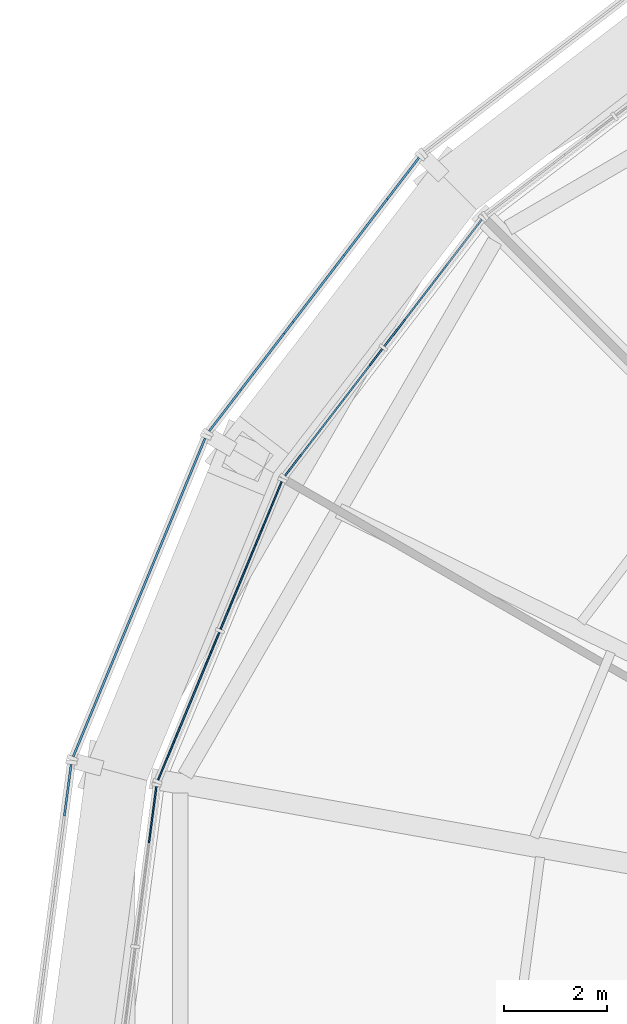
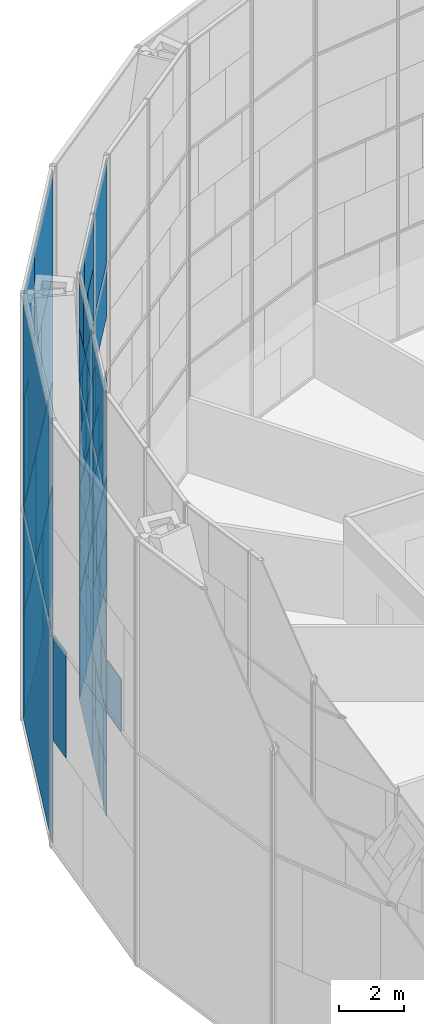
# One storey, part 21 of 30: 63 plates, 6 elements without a shape of their own.
"""IFC4 building model written with IfcOpenShell, lengths in metres."""

import ifcopenshell
import ifcopenshell.guid

model = None  # the IFC model being written
_history = None  # IfcOwnerHistory: only IFC2X3 demands one
_inside = {}  # id of a spatial element -> (the spatial element, [elements in it])
_under = {}  # id of a project, library or spatial element -> (it, [spatial elements below it])
_declared = {}  # id of a project -> (the project, [libraries it declares])
_typed = {}  # id of a type object -> (the type object, [elements of that type])
_made_of = {}  # id of a material, layer set ... -> (it, [elements and type objects made of it])


def new_model(schema):
    """Start an empty IFC model of exactly this schema.

    Asked for "IFC4X3", IfcOpenShell would pick the latest addendum, in which some entities
    have other attributes; the version numbers below select the first issue.
    IFC2X3 requires an IfcOwnerHistory on every rooted entity: one is made here for all.
    """
    global model, _history
    if schema == "IFC4X3":
        model = ifcopenshell.file(schema_version=(4, 3, 0, 0))
    else:
        model = ifcopenshell.file(schema=schema)
    _inside.clear()
    _under.clear()
    _declared.clear()
    _typed.clear()
    _made_of.clear()
    _history = None
    if model.schema == "IFC2X3":
        org = make("IfcOrganization", Name="unknown")
        user = make(
            "IfcPersonAndOrganization",
            ThePerson=make("IfcPerson", FamilyName="unknown"),
            TheOrganization=org,
        )
        app = make(
            "IfcApplication",
            ApplicationDeveloper=org,
            Version="unknown",
            ApplicationFullName="unknown",
            ApplicationIdentifier="unknown",
        )
        _history = make(
            "IfcOwnerHistory",
            OwningUser=user,
            OwningApplication=app,
            ChangeAction="ADDED",
            CreationDate=0,
        )
    return model


def make(cls, **values):
    """One entity of the class cls with the attributes given. An attribute that is None is left unset."""
    return model.create_entity(
        cls, **{name: value for name, value in values.items() if value is not None}
    )


def rooted(cls, **values):
    """An entity with a GlobalId (a new one), such as an element, a storey or a relation."""
    return make(cls, GlobalId=ifcopenshell.guid.new(), OwnerHistory=_history, **values)


def si_unit(unit_type, name, prefix=None):
    """IfcSIUnit, for example si_unit("LENGTHUNIT", "METRE", prefix="MILLI")."""
    return make("IfcSIUnit", UnitType=unit_type, Prefix=prefix, Name=name)


def assignment(units):
    """IfcUnitAssignment: the units of a project."""
    return None if units is None else make("IfcUnitAssignment", Units=units)


def point(xyz):
    """IfcCartesianPoint."""
    return None if xyz is None else make("IfcCartesianPoint", Coordinates=xyz)


def direction(xyz):
    """IfcDirection."""
    return None if xyz is None else make("IfcDirection", DirectionRatios=xyz)


def frame(location, z_axis=None, x_axis=None):
    """IfcAxis2Placement3D, a coordinate frame: its origin and axes. An axis left out is left unset."""
    return make(
        "IfcAxis2Placement3D",
        Location=point(location),
        Axis=direction(z_axis),
        RefDirection=direction(x_axis),
    )


def frame_2d(location, x_axis=None):
    """IfcAxis2Placement2D, a coordinate frame in the plane: its origin and x axis."""
    return make(
        "IfcAxis2Placement2D", Location=point(location), RefDirection=direction(x_axis)
    )


def origin():
    """The frame at (0, 0, 0) with its axes left unset."""
    return frame((0.0, 0.0, 0.0))


def origin_2d():
    """The frame at (0, 0) in the plane with its x axis left unset."""
    return frame_2d((0.0, 0.0))


def place(relative_to, where):
    """IfcLocalPlacement: puts the frame where relative to a parent placement (None: the world)."""
    return make(
        "IfcLocalPlacement", PlacementRelTo=relative_to, RelativePlacement=where
    )


def context(
    kind, dimensions, precision=None, world=None, true_north=None, identifier=None
):
    """IfcGeometricRepresentationContext, for example the 3D "Model" context."""
    return make(
        "IfcGeometricRepresentationContext",
        ContextIdentifier=identifier,
        ContextType=kind,
        CoordinateSpaceDimension=dimensions,
        Precision=precision,
        WorldCoordinateSystem=world,
        TrueNorth=true_north,
    )


def subcontext(parent, identifier, kind, view, scale=None):
    """IfcGeometricRepresentationSubContext, for example "Body" below "Model"."""
    return make(
        "IfcGeometricRepresentationSubContext",
        ContextIdentifier=identifier,
        ContextType=kind,
        ParentContext=parent,
        TargetScale=scale,
        TargetView=view,
    )


def project(units=None, contexts=None):
    """IfcProject with its units and contexts."""
    return rooted(
        "IfcProject",
        Name="project",
        RepresentationContexts=contexts,
        UnitsInContext=assignment(units),
    )


def spatial(cls, under=None, at=None, **own):
    """A site, building, storey or space (cls), placed at a placement, below another one or the project."""
    s = rooted(cls, ObjectPlacement=at, **own)
    if under is not None:
        _under.setdefault(under.id(), (under, []))[1].append(s)
    return s


def profile(cls, at=None, kind="AREA", **sizes):
    """A parametric profile (cls). Its sizes go by their IFC names, for example OverallWidth=200.0."""
    return make(cls, ProfileType=kind, Position=at, **sizes)


def rectangle(**sizes):
    """IfcRectangleProfileDef."""
    return profile("IfcRectangleProfileDef", **sizes)


def extrude(swept, where, along, depth):
    """IfcExtrudedAreaSolid: the profile swept, set in the frame where, extruded along a direction by depth."""
    return make(
        "IfcExtrudedAreaSolid",
        SweptArea=swept,
        Position=where,
        ExtrudedDirection=direction(along),
        Depth=depth,
    )


def shape(context_of_items, identifier, shape_type, items):
    """IfcShapeRepresentation: the items that make up one representation, for example the "Body"."""
    return make(
        "IfcShapeRepresentation",
        ContextOfItems=context_of_items,
        RepresentationIdentifier=identifier,
        RepresentationType=shape_type,
        Items=items,
    )


def material(Name=None, Category=None):
    """IfcMaterial."""
    return make("IfcMaterial", Name=Name, Category=Category)


def layer(
    of_material, thickness, ventilated=None, Name=None, Category=None, Priority=None
):
    """IfcMaterialLayer: one layer of a wall or slab, of a material (None: an air gap)."""
    return make(
        "IfcMaterialLayer",
        Material=of_material,
        LayerThickness=thickness,
        IsVentilated=ventilated,
        Name=Name,
        Category=Category,
        Priority=Priority,
    )


def layer_set(layers, Name=None):
    """IfcMaterialLayerSet."""
    return make("IfcMaterialLayerSet", MaterialLayers=layers, LayerSetName=Name)


def made_of(thing, what):
    """Note that an element or type object is made of a material, layer set ...; save() writes the relation."""
    if what is not None:
        _made_of.setdefault(what.id(), (what, []))[1].append(thing)
    return thing


def type_object(cls, material=None, **own):
    """A type object (cls), such as IfcWallType, which elements share."""
    return made_of(rooted(cls, **own), material)


def element(
    cls,
    number,
    at=None,
    inside=None,
    cuts=None,
    type_object=None,
    material=None,
    context=None,
    identifier="Body",
    shape_type=None,
    held_by="IfcProductDefinitionShape",
    body=None,
    shapes=None,
    **own,
):
    """One element of the class cls, such as IfcWall. Its Tag is "e" and its number.

    at: its placement. inside: the storey or other place that contains it. cuts: it is an
    opening in that element (IfcRelVoidsElement). A single representation is given by context,
    identifier, shape_type and body (its items); several are given by shapes. held_by: the class
    of the entity that holds the representations. save() writes the other relations.
    """
    e = rooted(cls, Tag="e%d" % number, ObjectPlacement=at, **own)
    if body is not None:
        shapes = [shape(context, identifier, shape_type, body)]
    if shapes is not None:
        e.Representation = make(held_by, Representations=shapes)
    if inside is not None:
        _inside.setdefault(inside.id(), (inside, []))[1].append(e)
    if cuts is not None:
        rooted(
            "IfcRelVoidsElement", RelatingBuildingElement=cuts, RelatedOpeningElement=e
        )
    if type_object is not None:
        _typed.setdefault(type_object.id(), (type_object, []))[1].append(e)
    return made_of(e, material)


def aggregate(whole, parts):
    """IfcRelAggregates: a whole, such as a stair, and the parts it consists of."""
    return rooted("IfcRelAggregates", RelatingObject=whole, RelatedObjects=parts)


def save(model, path):
    """Write the relations noted so far, then the file.

    IfcRelAggregates (storeys below a building ...), IfcRelContainedInSpatialStructure (elements
    in a storey), IfcRelDefinesByType, IfcRelAssociatesMaterial and IfcRelDeclares: one each for
    every whole, place, type object, material and project.
    """
    for whole, parts in _under.values():
        aggregate(whole, parts)
    for where, things in _inside.values():
        rooted(
            "IfcRelContainedInSpatialStructure",
            RelatedElements=things,
            RelatingStructure=where,
        )
    for kind, things in _typed.values():
        rooted("IfcRelDefinesByType", RelatedObjects=things, RelatingType=kind)
    for what, things in _made_of.values():
        rooted("IfcRelAssociatesMaterial", RelatedObjects=things, RelatingMaterial=what)
    for by, libraries in _declared.values():
        rooted("IfcRelDeclares", RelatingContext=by, RelatedDefinitions=libraries)
    model.write(path)


model = new_model("IFC4")

# Units and contexts
model_context = context("Model", 3, precision=1e-05, world=origin(), true_north=direction((0.0, 1.0)))
body_context = subcontext(model_context, "Body", "Model", "MODEL_VIEW")
ifc_project = project(units=[si_unit("LENGTHUNIT", "METRE"), si_unit("AREAUNIT", "SQUARE_METRE"), si_unit("VOLUMEUNIT", "CUBIC_METRE"), si_unit("PLANEANGLEUNIT", "RADIAN"), si_unit("MASSUNIT", "GRAM", prefix="KILO")], contexts=[model_context])

# Site, building, storey
site_placement = place(None, origin())
site = spatial("IfcSite", under=ifc_project, at=site_placement, CompositionType="ELEMENT")
building_placement = place(site_placement, origin())
building = spatial("IfcBuilding", under=site, at=building_placement, Name="Golbaran Civic Tower", CompositionType="ELEMENT")
storey_placement = place(building_placement, frame((0.0, 0.0, 102.0)))
storey = spatial("IfcBuildingStorey", under=building, at=storey_placement, Name="L24", CompositionType="ELEMENT", Elevation=102.0)

# Curtain wall, plates
ifc_material_1 = material(Name="Aluminium and glass", Category="aluminium")
curtain_wall_type_1 = type_object("IfcCurtainWallType", Name="INNER SKIN CURTAIN WALL", PredefinedType="NOTDEFINED", material=ifc_material_1)
curtain_wall_1_placement = place(storey_placement, origin())
curtain_wall_1 = element("IfcCurtainWall", 1, at=curtain_wall_1_placement, inside=storey, type_object=curtain_wall_type_1, Name="Inner skin L24 facet 10 CW1", ObjectType="INNER SKIN", PredefinedType="USERDEFINED")
ifc_material_2 = material(Name="Clear insulating glass", Category="glass")
ifc_layer_1 = layer(ifc_material_2, 0.031982421875, Name="Clear insulating glass")
ifc_layer_set_1 = layer_set([ifc_layer_1], Name="Clear insulating glass")
plate_type_1 = type_object("IfcPlateType", Name="INNER SKIN CURTAIN WALL GLAZED PANEL", PredefinedType="CURTAIN_PANEL", material=ifc_layer_set_1)
plate_1_placement = place(storey_placement, frame((-18.867919921875, 15.439208984375, 0.06494140625), z_axis=(0.0, 0.0, 1.0), x_axis=(-0.608761428995, -0.793353340302, 0.0)))
plate_1 = element("IfcPlate", 2, at=plate_1_placement, type_object=plate_type_1, Name="CW1 panel 1.1 part 2", PredefinedType="CURTAIN_PANEL", context=body_context, shape_type="SweptSolid", body=[
    extrude(rectangle(XDim=1.460693359375, YDim=0.031982421875, at=origin_2d()), origin(), (0.0, 0.0, 1.0), 1.951171875),
])
plate_2_placement = place(storey_placement, frame((-19.114013671875, 15.118408203125, 2.016357421875), z_axis=(0.0, 0.0, 1.0), x_axis=(-0.608761428995, -0.793353340302, 0.0)))
plate_2 = element("IfcPlate", 3, at=plate_2_placement, type_object=plate_type_1, Name="CW1 panel 1.1 part 4", PredefinedType="CURTAIN_PANEL", context=body_context, shape_type="SweptSolid", body=[
    extrude(rectangle(XDim=0.651611328125, YDim=0.031982421875, at=origin_2d()), origin(), (0.0, 0.0, 1.0), 1.951171875),
])
plate_3_placement = place(storey_placement, frame((-18.0029296875, 16.56640625, 6.0), z_axis=(0.0, 0.0, 1.0), x_axis=(-0.608761428995, -0.793353340302, 0.0)))
plate_3 = element("IfcPlate", 4, at=plate_3_placement, type_object=plate_type_1, Name="CW1 panel 1.2 part 3", PredefinedType="CURTAIN_PANEL", context=body_context, shape_type="SweptSolid", body=[
    extrude(rectangle(XDim=1.9189453125, YDim=0.031982421875, at=origin_2d()), origin(), (0.0, 0.0, 1.0), 1.967529296875),
])
plate_4_placement = place(storey_placement, frame((-18.36572265625, 16.09375, 10.0), z_axis=(0.0, 0.0, 1.0), x_axis=(-0.608761428995, -0.793353340302, 0.0)))
plate_4 = element("IfcPlate", 5, at=plate_4_placement, type_object=plate_type_1, Name="CW1 panel 1.3 part 3", PredefinedType="CURTAIN_PANEL", context=body_context, shape_type="SweptSolid", body=[
    extrude(rectangle(XDim=3.110595703125, YDim=0.031982421875, at=origin_2d()), origin(), (0.0, 0.0, 1.0), 1.967529296875),
])
plate_5_placement = place(storey_placement, frame((-18.36572265625, 16.09375, 12.0322265625), z_axis=(0.0, 0.0, 1.0), x_axis=(-0.608761428995, -0.793353340302, 0.0)))
plate_5 = element("IfcPlate", 6, at=plate_5_placement, type_object=plate_type_1, Name="CW1 panel 1.4", PredefinedType="CURTAIN_PANEL", context=body_context, shape_type="SweptSolid", body=[
    extrude(rectangle(XDim=3.110595703125, YDim=0.031982421875, at=origin_2d()), origin(), (0.0, 0.0, 1.0), 3.902587890625),
])
plate_6_placement = place(storey_placement, frame((-20.298828125, 13.574462890625, 0.06494140625), z_axis=(0.0, 0.0, 1.0), x_axis=(-0.608761428995, -0.793353340302, 0.0)))
plate_6 = element("IfcPlate", 7, at=plate_6_placement, type_object=plate_type_1, Name="CW1 panel 2.1", PredefinedType="CURTAIN_PANEL", context=body_context, shape_type="SweptSolid", body=[
    extrude(rectangle(XDim=3.110595703125, YDim=0.031982421875, at=origin_2d()), origin(), (0.0, 0.0, 1.0), 3.902587890625),
])
plate_7_placement = place(storey_placement, frame((-20.4208984375, 13.415283203125, 4.03271484375), z_axis=(0.0, 0.0, 1.0), x_axis=(-0.608761428995, -0.793353340302, 0.0)))
plate_7 = element("IfcPlate", 8, at=plate_7_placement, type_object=plate_type_1, Name="CW1 panel 2.2 part 2", PredefinedType="CURTAIN_PANEL", context=body_context, shape_type="SweptSolid", body=[
    extrude(rectangle(XDim=2.70947265625, YDim=0.031982421875, at=origin_2d()), origin(), (0.0, 0.0, 1.0), 1.967529296875),
])
plate_8_placement = place(storey_placement, frame((-20.5849609375, 13.20166015625, 6.0), z_axis=(0.0, 0.0, 1.0), x_axis=(-0.608761428995, -0.793353340302, 0.0)))
plate_8 = element("IfcPlate", 9, at=plate_8_placement, type_object=plate_type_1, Name="CW1 panel 2.2 part 4", PredefinedType="CURTAIN_PANEL", context=body_context, shape_type="SweptSolid", body=[
    extrude(rectangle(XDim=2.170654296875, YDim=0.031982421875, at=origin_2d()), origin(), (0.0, 0.0, 1.0), 1.967529296875),
])
plate_9_placement = place(storey_placement, frame((-20.84130859375, 12.86767578125, 8.03271484375), z_axis=(0.0, 0.0, 1.0), x_axis=(-0.608761428995, -0.793353340302, 0.0)))
plate_9 = element("IfcPlate", 10, at=plate_9_placement, type_object=plate_type_1, Name="CW1 panel 2.3 part 2", PredefinedType="CURTAIN_PANEL", context=body_context, shape_type="SweptSolid", body=[
    extrude(rectangle(XDim=1.32861328125, YDim=0.031982421875, at=origin_2d()), origin(), (0.0, 0.0, 1.0), 1.967529296875),
])
plate_10_placement = place(storey_placement, frame((-19.473876953125, 14.649658203125, 10.0), z_axis=(0.0, 0.0, 1.0), x_axis=(-0.608761428995, -0.793353340302, 0.0)))
plate_10 = element("IfcPlate", 11, at=plate_10_placement, type_object=plate_type_1, Name="CW1 panel 2.3 part 3", PredefinedType="CURTAIN_PANEL", context=body_context, shape_type="SweptSolid", body=[
    extrude(rectangle(XDim=0.39990234375, YDim=0.031982421875, at=origin_2d()), origin(), (0.0, 0.0, 1.0), 1.967529296875),
])
plate_11_placement = place(storey_placement, frame((-21.08935546875, 12.544189453125, 10.0), z_axis=(0.0, 0.0, 1.0), x_axis=(-0.608761428995, -0.793353340302, 0.0)))
plate_11 = element("IfcPlate", 12, at=plate_11_placement, type_object=plate_type_1, Name="CW1 panel 2.3 part 5", PredefinedType="CURTAIN_PANEL", context=body_context, shape_type="SweptSolid", body=[
    extrude(rectangle(XDim=0.513671875, YDim=0.031982421875, at=origin_2d()), origin(), (0.0, 0.0, 1.0), 1.967529296875),
])
plate_12_placement = place(storey_placement, frame((-19.72998046875, 14.315673828125, 12.032470703125), z_axis=(0.0, 0.0, 1.0), x_axis=(-0.608761428995, -0.793353340302, 0.0)))
plate_12 = element("IfcPlate", 13, at=plate_12_placement, type_object=plate_type_1, Name="CW1 panel 2.4 part 1", PredefinedType="CURTAIN_PANEL", context=body_context, shape_type="SweptSolid", body=[
    extrude(rectangle(XDim=1.241943359375, YDim=0.031982421875, at=origin_2d()), origin(), (0.0, 0.0, 1.0), 1.951171875),
])
plate_13_placement = place(storey_placement, frame((-19.97607421875, 13.9951171875, 13.98388671875), z_axis=(0.0, 0.0, 1.0), x_axis=(-0.608761428995, -0.793353340302, 0.0)))
plate_13 = element("IfcPlate", 14, at=plate_13_placement, type_object=plate_type_1, Name="CW1 panel 2.4 part 3", PredefinedType="CURTAIN_PANEL", context=body_context, shape_type="SweptSolid", body=[
    extrude(rectangle(XDim=2.050048828125, YDim=0.031982421875, at=origin_2d()), origin(), (0.0, 0.0, 1.0), 1.951171875),
])

curtain_wall_2_placement = place(storey_placement, origin())
curtain_wall_2 = element("IfcCurtainWall", 15, at=curtain_wall_2_placement, inside=storey, type_object=curtain_wall_type_1, Name="Inner skin L24 facet 11 CW1", ObjectType="INNER SKIN", PredefinedType="USERDEFINED")
plate_14_placement = place(storey_placement, frame((-21.9052734375, 10.7919921875, 0.06494140625), z_axis=(0.0, 0.0, 1.0), x_axis=(-0.382683432478, -0.923879532465, 0.0)))
plate_14 = element("IfcPlate", 16, at=plate_14_placement, type_object=plate_type_1, Name="CW1 panel 1.1", PredefinedType="CURTAIN_PANEL", context=body_context, shape_type="SweptSolid", body=[
    extrude(rectangle(XDim=3.110595703125, YDim=0.031982421875, at=origin_2d()), origin(), (0.0, 0.0, 1.0), 3.902587890625),
])
plate_15_placement = place(storey_placement, frame((-21.828369140625, 10.9775390625, 4.03271484375), z_axis=(0.0, 0.0, 1.0), x_axis=(-0.382683432478, -0.923879532465, 0.0)))
plate_15 = element("IfcPlate", 17, at=plate_15_placement, type_object=plate_type_1, Name="CW1 panel 1.2 part 1", PredefinedType="CURTAIN_PANEL", context=body_context, shape_type="SweptSolid", body=[
    extrude(rectangle(XDim=2.708984375, YDim=0.031982421875, at=origin_2d()), origin(), (0.0, 0.0, 1.0), 1.967529296875),
])
plate_16_placement = place(storey_placement, frame((-21.725341796875, 11.22607421875, 6.0), z_axis=(0.0, 0.0, 1.0), x_axis=(-0.382683432478, -0.923879532465, 0.0)))
plate_16 = element("IfcPlate", 18, at=plate_16_placement, type_object=plate_type_1, Name="CW1 panel 1.2 part 3", PredefinedType="CURTAIN_PANEL", context=body_context, shape_type="SweptSolid", body=[
    extrude(rectangle(XDim=2.1708984375, YDim=0.031982421875, at=origin_2d()), origin(), (0.0, 0.0, 1.0), 1.967529296875),
])
plate_17_placement = place(storey_placement, frame((-21.564453125, 11.614990234375, 8.03271484375), z_axis=(0.0, 0.0, 1.0), x_axis=(-0.382683432478, -0.923879532465, 0.0)))
plate_17 = element("IfcPlate", 19, at=plate_17_placement, type_object=plate_type_1, Name="CW1 panel 1.3 part 1", PredefinedType="CURTAIN_PANEL", context=body_context, shape_type="SweptSolid", body=[
    extrude(rectangle(XDim=1.3291015625, YDim=0.031982421875, at=origin_2d()), origin(), (0.0, 0.0, 1.0), 1.967529296875),
])
plate_18_placement = place(storey_placement, frame((-21.408447265625, 11.991455078125, 10.0), z_axis=(0.0, 0.0, 1.0), x_axis=(-0.382683432478, -0.923879532465, 0.0)))
plate_18 = element("IfcPlate", 20, at=plate_18_placement, type_object=plate_type_1, Name="CW1 panel 1.3 part 3", PredefinedType="CURTAIN_PANEL", context=body_context, shape_type="SweptSolid", body=[
    extrude(rectangle(XDim=0.513916015625, YDim=0.031982421875, at=origin_2d()), origin(), (0.0, 0.0, 1.0), 1.967529296875),
])
plate_19_placement = place(storey_placement, frame((-22.262939453125, 9.9287109375, 12.032470703125), z_axis=(0.0, 0.0, 1.0), x_axis=(-0.382683432478, -0.923879532465, 0.0)))
plate_19 = element("IfcPlate", 21, at=plate_19_placement, type_object=plate_type_1, Name="CW1 panel 1.4 part 2", PredefinedType="CURTAIN_PANEL", context=body_context, shape_type="SweptSolid", body=[
    extrude(rectangle(XDim=1.241455078125, YDim=0.031982421875, at=origin_2d()), origin(), (0.0, 0.0, 1.0), 1.951171875),
])
plate_20_placement = place(storey_placement, frame((-22.108154296875, 10.302001953125, 13.98388671875), z_axis=(0.0, 0.0, 1.0), x_axis=(-0.382683432478, -0.923879532465, 0.0)))
plate_20 = element("IfcPlate", 22, at=plate_20_placement, type_object=plate_type_1, Name="CW1 panel 1.4 part 4", PredefinedType="CURTAIN_PANEL", context=body_context, shape_type="SweptSolid", body=[
    extrude(rectangle(XDim=2.049560546875, YDim=0.031982421875, at=origin_2d()), origin(), (0.0, 0.0, 1.0), 1.951171875),
])
plate_21_placement = place(storey_placement, frame((-22.8046875, 8.62060546875, 0.06494140625), z_axis=(0.0, 0.0, 1.0), x_axis=(-0.382683432478, -0.923879532465, 0.0)))
plate_21 = element("IfcPlate", 23, at=plate_21_placement, type_object=plate_type_1, Name="CW1 panel 2.1 part 1", PredefinedType="CURTAIN_PANEL", context=body_context, shape_type="SweptSolid", body=[
    extrude(rectangle(XDim=1.4599609375, YDim=0.031982421875, at=origin_2d()), origin(), (0.0, 0.0, 1.0), 1.951171875),
])
plate_22_placement = place(storey_placement, frame((-22.650146484375, 8.993896484375, 2.016357421875), z_axis=(0.0, 0.0, 1.0), x_axis=(-0.382683432478, -0.923879532465, 0.0)))
plate_22 = element("IfcPlate", 24, at=plate_22_placement, type_object=plate_type_1, Name="CW1 panel 2.1 part 3", PredefinedType="CURTAIN_PANEL", context=body_context, shape_type="SweptSolid", body=[
    extrude(rectangle(XDim=0.652099609375, YDim=0.031982421875, at=origin_2d()), origin(), (0.0, 0.0, 1.0), 1.951171875),
])
plate_23_placement = place(storey_placement, frame((-23.50439453125, 6.93115234375, 4.03271484375), z_axis=(0.0, 0.0, 1.0), x_axis=(-0.382683432478, -0.923879532465, 0.0)))
plate_23 = element("IfcPlate", 25, at=plate_23_placement, type_object=plate_type_1, Name="CW1 panel 2.2 part 2", PredefinedType="CURTAIN_PANEL", context=body_context, shape_type="SweptSolid", body=[
    extrude(rectangle(XDim=1.103515625, YDim=0.031982421875, at=origin_2d()), origin(), (0.0, 0.0, 1.0), 1.967529296875),
])
plate_24_placement = place(storey_placement, frame((-23.3486328125, 7.3076171875, 6.0), z_axis=(0.0, 0.0, 1.0), x_axis=(-0.382683432478, -0.923879532465, 0.0)))
plate_24 = element("IfcPlate", 26, at=plate_24_placement, type_object=plate_type_1, Name="CW1 panel 2.2 part 4", PredefinedType="CURTAIN_PANEL", context=body_context, shape_type="SweptSolid", body=[
    extrude(rectangle(XDim=1.91845703125, YDim=0.031982421875, at=origin_2d()), origin(), (0.0, 0.0, 1.0), 1.967529296875),
])
plate_25_placement = place(storey_placement, frame((-23.197021484375, 7.67333984375, 8.03271484375), z_axis=(0.0, 0.0, 1.0), x_axis=(-0.382683432478, -0.923879532465, 0.0)))
plate_25 = element("IfcPlate", 27, at=plate_25_placement, type_object=plate_type_1, Name="CW1 panel 2.3 part 2", PredefinedType="CURTAIN_PANEL", context=body_context, shape_type="SweptSolid", body=[
    extrude(rectangle(XDim=2.710693359375, YDim=0.031982421875, at=origin_2d()), origin(), (0.0, 0.0, 1.0), 1.967529296875),
])
plate_26_placement = place(storey_placement, frame((-23.120361328125, 7.858154296875, 10.0), z_axis=(0.0, 0.0, 1.0), x_axis=(-0.382683432478, -0.923879532465, 0.0)))
plate_26 = element("IfcPlate", 28, at=plate_26_placement, type_object=plate_type_1, Name="CW1 panel 2.3 part 3", PredefinedType="CURTAIN_PANEL", context=body_context, shape_type="SweptSolid", body=[
    extrude(rectangle(XDim=3.110595703125, YDim=0.031982421875, at=origin_2d()), origin(), (0.0, 0.0, 1.0), 1.967529296875),
])
plate_27_placement = place(storey_placement, frame((-23.120361328125, 7.858154296875, 12.0322265625), z_axis=(0.0, 0.0, 1.0), x_axis=(-0.382683432478, -0.923879532465, 0.0)))
plate_27 = element("IfcPlate", 29, at=plate_27_placement, type_object=plate_type_1, Name="CW1 panel 2.4", PredefinedType="CURTAIN_PANEL", context=body_context, shape_type="SweptSolid", body=[
    extrude(rectangle(XDim=3.110595703125, YDim=0.031982421875, at=origin_2d()), origin(), (0.0, 0.0, 1.0), 3.902587890625),
])

# Curtain wall, plate
curtain_wall_3_placement = place(storey_placement, origin())
curtain_wall_3 = element("IfcCurtainWall", 30, at=curtain_wall_3_placement, inside=storey, type_object=curtain_wall_type_1, Name="Inner skin L24 facet 12 CW1", ObjectType="INNER SKIN", PredefinedType="USERDEFINED")
plate_28_placement = place(storey_placement, frame((-23.821044921875, 5.74951171875, 4.03271484375), z_axis=(0.0, 0.0, 1.0), x_axis=(-0.130526192134, -0.991444861385, 0.0)))
plate_28 = element("IfcPlate", 31, at=plate_28_placement, type_object=plate_type_1, Name="CW1 panel 1.2 part 1", PredefinedType="CURTAIN_PANEL", context=body_context, shape_type="SweptSolid", body=[
    extrude(rectangle(XDim=1.10400390625, YDim=0.031982421875, at=origin_2d()), origin(), (0.0, 0.0, 1.0), 1.967529296875),
])
aggregate(curtain_wall_3, [plate_28])

# Plate
ifc_material_3 = material(Name="Aluminium faced opaque infill panel", Category="aluminium")
ifc_layer_2 = layer(ifc_material_3, 0.031982421875, Name="Aluminium faced opaque infill panel")
ifc_layer_set_2 = layer_set([ifc_layer_2], Name="Aluminium faced opaque infill panel")
plate_type_2 = type_object("IfcPlateType", Name="INNER SKIN CURTAIN WALL OPAQUE INFILL PANEL", PredefinedType="CURTAIN_PANEL", material=ifc_layer_set_2)
plate_29_placement = place(storey_placement, frame((-17.921142578125, 16.673095703125, 0.06494140625), z_axis=(0.0, 0.0, 1.0), x_axis=(-0.608761428995, -0.793353340302, 0.0)))
plate_29 = element("IfcPlate", 32, at=plate_29_placement, type_object=plate_type_2, Name="CW1 infill panel 1.1 part 1", PredefinedType="CURTAIN_PANEL", context=body_context, shape_type="SweptSolid", body=[
    extrude(rectangle(XDim=1.64990234375, YDim=0.031982421875, at=origin_2d()), origin(), (0.0, 0.0, 1.0), 1.951171875),
])

plate_30_placement = place(storey_placement, frame((-18.167236328125, 16.352294921875, 2.016357421875), z_axis=(0.0, 0.0, 1.0), x_axis=(-0.608761428995, -0.793353340302, 0.0)))
plate_30 = element("IfcPlate", 33, at=plate_30_placement, type_object=plate_type_2, Name="CW1 infill panel 1.1 part 3", PredefinedType="CURTAIN_PANEL", context=body_context, shape_type="SweptSolid", body=[
    extrude(rectangle(XDim=2.458984375, YDim=0.031982421875, at=origin_2d()), origin(), (0.0, 0.0, 1.0), 1.951171875),
])

plate_31_placement = place(storey_placement, frame((-18.70166015625, 15.65576171875, 4.03271484375), z_axis=(0.0, 0.0, 1.0), x_axis=(-0.608761428995, -0.793353340302, 0.0)))
plate_31 = element("IfcPlate", 34, at=plate_31_placement, type_object=plate_type_2, Name="CW1 infill panel 1.2 part 2", PredefinedType="CURTAIN_PANEL", context=body_context, shape_type="SweptSolid", body=[
    extrude(rectangle(XDim=2.006591796875, YDim=0.031982421875, at=origin_2d()), origin(), (0.0, 0.0, 1.0), 1.967529296875),
])

plate_32_placement = place(storey_placement, frame((-18.94970703125, 15.33251953125, 6.0), z_axis=(0.0, 0.0, 1.0), x_axis=(-0.608761428995, -0.793353340302, 0.0)))
plate_32 = element("IfcPlate", 35, at=plate_32_placement, type_object=plate_type_2, Name="CW1 infill panel 1.2 part 4", PredefinedType="CURTAIN_PANEL", context=body_context, shape_type="SweptSolid", body=[
    extrude(rectangle(XDim=1.191650390625, YDim=0.031982421875, at=origin_2d()), origin(), (0.0, 0.0, 1.0), 1.967529296875),
])

plate_33_placement = place(storey_placement, frame((-19.190185546875, 15.019287109375, 8.03271484375), z_axis=(0.0, 0.0, 1.0), x_axis=(-0.608761428995, -0.793353340302, 0.0)))
plate_33 = element("IfcPlate", 36, at=plate_33_placement, type_object=plate_type_2, Name="CW1 infill panel 1.3 part 2", PredefinedType="CURTAIN_PANEL", context=body_context, shape_type="SweptSolid", body=[
    extrude(rectangle(XDim=0.401611328125, YDim=0.031982421875, at=origin_2d()), origin(), (0.0, 0.0, 1.0), 1.967529296875),
])

plate_34_placement = place(storey_placement, frame((-19.47412109375, 14.649169921875, 4.03271484375), z_axis=(0.0, 0.0, 1.0), x_axis=(-0.608761428995, -0.793353340302, 0.0)))
plate_34 = element("IfcPlate", 37, at=plate_34_placement, type_object=plate_type_2, Name="CW1 infill panel 2.2 part 1", PredefinedType="CURTAIN_PANEL", context=body_context, shape_type="SweptSolid", body=[
    extrude(rectangle(XDim=0.40087890625, YDim=0.031982421875, at=origin_2d()), origin(), (0.0, 0.0, 1.0), 1.967529296875),
])

plate_35_placement = place(storey_placement, frame((-19.63818359375, 14.435546875, 6.0), z_axis=(0.0, 0.0, 1.0), x_axis=(-0.608761428995, -0.793353340302, 0.0)))
plate_35 = element("IfcPlate", 38, at=plate_35_placement, type_object=plate_type_2, Name="CW1 infill panel 2.2 part 3", PredefinedType="CURTAIN_PANEL", context=body_context, shape_type="SweptSolid", body=[
    extrude(rectangle(XDim=0.93994140625, YDim=0.031982421875, at=origin_2d()), origin(), (0.0, 0.0, 1.0), 1.967529296875),
])

plate_36_placement = place(storey_placement, frame((-19.89453125, 14.1015625, 8.03271484375), z_axis=(0.0, 0.0, 1.0), x_axis=(-0.608761428995, -0.793353340302, 0.0)))
plate_36 = element("IfcPlate", 39, at=plate_36_placement, type_object=plate_type_2, Name="CW1 infill panel 2.3 part 1", PredefinedType="CURTAIN_PANEL", context=body_context, shape_type="SweptSolid", body=[
    extrude(rectangle(XDim=1.781982421875, YDim=0.031982421875, at=origin_2d()), origin(), (0.0, 0.0, 1.0), 1.967529296875),
])

plate_37_placement = place(storey_placement, frame((-20.26416015625, 13.61962890625, 10.0), z_axis=(0.0, 0.0, 1.0), x_axis=(-0.608761428995, -0.793353340302, 0.0)))
plate_37 = element("IfcPlate", 40, at=plate_37_placement, type_object=plate_type_2, Name="CW1 infill panel 2.3 part 4", PredefinedType="CURTAIN_PANEL", context=body_context, shape_type="SweptSolid", body=[
    extrude(rectangle(XDim=2.197021484375, YDim=0.031982421875, at=origin_2d()), origin(), (0.0, 0.0, 1.0), 1.967529296875),
])

plate_38_placement = place(storey_placement, frame((-20.6767578125, 13.081787109375, 12.032470703125), z_axis=(0.0, 0.0, 1.0), x_axis=(-0.608761428995, -0.793353340302, 0.0)))
plate_38 = element("IfcPlate", 41, at=plate_38_placement, type_object=plate_type_2, Name="CW1 infill panel 2.4 part 2", PredefinedType="CURTAIN_PANEL", context=body_context, shape_type="SweptSolid", body=[
    extrude(rectangle(XDim=1.86865234375, YDim=0.031982421875, at=origin_2d()), origin(), (0.0, 0.0, 1.0), 1.951171875),
])

plate_39_placement = place(storey_placement, frame((-20.9228515625, 12.76123046875, 13.98388671875), z_axis=(0.0, 0.0, 1.0), x_axis=(-0.608761428995, -0.793353340302, 0.0)))
plate_39 = element("IfcPlate", 42, at=plate_39_placement, type_object=plate_type_2, Name="CW1 infill panel 2.4 part 4", PredefinedType="CURTAIN_PANEL", context=body_context, shape_type="SweptSolid", body=[
    extrude(rectangle(XDim=1.060546875, YDim=0.031982421875, at=origin_2d()), origin(), (0.0, 0.0, 1.0), 1.951171875),
])

aggregate(curtain_wall_1, [plate_29, plate_1, plate_30, plate_2, plate_31, plate_3, plate_32, plate_33, plate_4, plate_5, plate_6, plate_34, plate_7, plate_35, plate_8, plate_36, plate_9, plate_10, plate_37, plate_11, plate_12, plate_38, plate_13, plate_39])

plate_40_placement = place(storey_placement, frame((-22.423583984375, 9.540771484375, 4.03271484375), z_axis=(0.0, 0.0, 1.0), x_axis=(-0.382683432478, -0.923879532465, 0.0)))
plate_40 = element("IfcPlate", 43, at=plate_40_placement, type_object=plate_type_2, Name="CW1 infill panel 1.2 part 2", PredefinedType="CURTAIN_PANEL", context=body_context, shape_type="SweptSolid", body=[
    extrude(rectangle(XDim=0.401611328125, YDim=0.031982421875, at=origin_2d()), origin(), (0.0, 0.0, 1.0), 1.967529296875),
])

plate_41_placement = place(storey_placement, frame((-22.320556640625, 9.7890625, 6.0), z_axis=(0.0, 0.0, 1.0), x_axis=(-0.382683432478, -0.923879532465, 0.0)))
plate_41 = element("IfcPlate", 44, at=plate_41_placement, type_object=plate_type_2, Name="CW1 infill panel 1.2 part 4", PredefinedType="CURTAIN_PANEL", context=body_context, shape_type="SweptSolid", body=[
    extrude(rectangle(XDim=0.939453125, YDim=0.031982421875, at=origin_2d()), origin(), (0.0, 0.0, 1.0), 1.967529296875),
])

plate_42_placement = place(storey_placement, frame((-22.159423828125, 10.17822265625, 8.03271484375), z_axis=(0.0, 0.0, 1.0), x_axis=(-0.382683432478, -0.923879532465, 0.0)))
plate_42 = element("IfcPlate", 45, at=plate_42_placement, type_object=plate_type_2, Name="CW1 infill panel 1.3 part 2", PredefinedType="CURTAIN_PANEL", context=body_context, shape_type="SweptSolid", body=[
    extrude(rectangle(XDim=1.781494140625, YDim=0.031982421875, at=origin_2d()), origin(), (0.0, 0.0, 1.0), 1.967529296875),
])

plate_43_placement = place(storey_placement, frame((-22.003662109375, 10.5546875, 10.0), z_axis=(0.0, 0.0, 1.0), x_axis=(-0.382683432478, -0.923879532465, 0.0)))
plate_43 = element("IfcPlate", 46, at=plate_43_placement, type_object=plate_type_2, Name="CW1 infill panel 1.3 part 4", PredefinedType="CURTAIN_PANEL", context=body_context, shape_type="SweptSolid", body=[
    extrude(rectangle(XDim=2.5966796875, YDim=0.031982421875, at=origin_2d()), origin(), (0.0, 0.0, 1.0), 1.967529296875),
])

plate_44_placement = place(storey_placement, frame((-21.667724609375, 11.365478515625, 12.032470703125), z_axis=(0.0, 0.0, 1.0), x_axis=(-0.382683432478, -0.923879532465, 0.0)))
plate_44 = element("IfcPlate", 47, at=plate_44_placement, type_object=plate_type_2, Name="CW1 infill panel 1.4 part 1", PredefinedType="CURTAIN_PANEL", context=body_context, shape_type="SweptSolid", body=[
    extrude(rectangle(XDim=1.868896484375, YDim=0.031982421875, at=origin_2d()), origin(), (0.0, 0.0, 1.0), 1.951171875),
])

plate_45_placement = place(storey_placement, frame((-21.512939453125, 11.73876953125, 13.98388671875), z_axis=(0.0, 0.0, 1.0), x_axis=(-0.382683432478, -0.923879532465, 0.0)))
plate_45 = element("IfcPlate", 48, at=plate_45_placement, type_object=plate_type_2, Name="CW1 infill panel 1.4 part 3", PredefinedType="CURTAIN_PANEL", context=body_context, shape_type="SweptSolid", body=[
    extrude(rectangle(XDim=1.06103515625, YDim=0.031982421875, at=origin_2d()), origin(), (0.0, 0.0, 1.0), 1.951171875),
])

plate_46_placement = place(storey_placement, frame((-23.39990234375, 7.183837890625, 0.06494140625), z_axis=(0.0, 0.0, 1.0), x_axis=(-0.382683432478, -0.923879532465, 0.0)))
plate_46 = element("IfcPlate", 49, at=plate_46_placement, type_object=plate_type_2, Name="CW1 infill panel 2.1 part 2", PredefinedType="CURTAIN_PANEL", context=body_context, shape_type="SweptSolid", body=[
    extrude(rectangle(XDim=1.650634765625, YDim=0.031982421875, at=origin_2d()), origin(), (0.0, 0.0, 1.0), 1.951171875),
])

plate_47_placement = place(storey_placement, frame((-23.2451171875, 7.55712890625, 2.016357421875), z_axis=(0.0, 0.0, 1.0), x_axis=(-0.382683432478, -0.923879532465, 0.0)))
plate_47 = element("IfcPlate", 50, at=plate_47_placement, type_object=plate_type_2, Name="CW1 infill panel 2.1 part 4", PredefinedType="CURTAIN_PANEL", context=body_context, shape_type="SweptSolid", body=[
    extrude(rectangle(XDim=2.45849609375, YDim=0.031982421875, at=origin_2d()), origin(), (0.0, 0.0, 1.0), 1.951171875),
])

plate_48_placement = place(storey_placement, frame((-22.909423828125, 8.367919921875, 4.03271484375), z_axis=(0.0, 0.0, 1.0), x_axis=(-0.382683432478, -0.923879532465, 0.0)))
plate_48 = element("IfcPlate", 51, at=plate_48_placement, type_object=plate_type_2, Name="CW1 infill panel 2.2 part 1", PredefinedType="CURTAIN_PANEL", context=body_context, shape_type="SweptSolid", body=[
    extrude(rectangle(XDim=2.007080078125, YDim=0.031982421875, at=origin_2d()), origin(), (0.0, 0.0, 1.0), 1.967529296875),
])

plate_49_placement = place(storey_placement, frame((-22.75341796875, 8.744384765625, 6.0), z_axis=(0.0, 0.0, 1.0), x_axis=(-0.382683432478, -0.923879532465, 0.0)))
plate_49 = element("IfcPlate", 52, at=plate_49_placement, type_object=plate_type_2, Name="CW1 infill panel 2.2 part 3", PredefinedType="CURTAIN_PANEL", context=body_context, shape_type="SweptSolid", body=[
    extrude(rectangle(XDim=1.19189453125, YDim=0.031982421875, at=origin_2d()), origin(), (0.0, 0.0, 1.0), 1.967529296875),
])

plate_50_placement = place(storey_placement, frame((-22.601806640625, 9.1103515625, 8.03271484375), z_axis=(0.0, 0.0, 1.0), x_axis=(-0.382683432478, -0.923879532465, 0.0)))
plate_50 = element("IfcPlate", 53, at=plate_50_placement, type_object=plate_type_2, Name="CW1 infill panel 2.3 part 1", PredefinedType="CURTAIN_PANEL", context=body_context, shape_type="SweptSolid", body=[
    extrude(rectangle(XDim=0.39990234375, YDim=0.031982421875, at=origin_2d()), origin(), (0.0, 0.0, 1.0), 1.967529296875),
])

aggregate(curtain_wall_2, [plate_14, plate_15, plate_40, plate_16, plate_41, plate_17, plate_42, plate_18, plate_43, plate_44, plate_19, plate_45, plate_20, plate_21, plate_46, plate_22, plate_47, plate_48, plate_23, plate_49, plate_24, plate_50, plate_25, plate_26, plate_27])

# Curtain wall, plates
curtain_wall_type_2 = type_object("IfcCurtainWallType", Name="OUTER SKIN TERRACOTTA SCREEN", PredefinedType="NOTDEFINED", material=ifc_material_1)
curtain_wall_4_placement = place(storey_placement, origin())
curtain_wall_4 = element("IfcCurtainWall", 54, at=curtain_wall_4_placement, inside=storey, type_object=curtain_wall_type_2, Name="Outer skin L24 facet 10 CW3", ObjectType="OUTER SKIN", PredefinedType="USERDEFINED")
ifc_material_4 = material(Name="Clear laminated glass", Category="glass")
ifc_layer_3 = layer(ifc_material_4, 0.0400390625, Name="Clear laminated glass")
ifc_layer_set_3 = layer_set([ifc_layer_3], Name="Clear laminated glass")
plate_type_3 = type_object("IfcPlateType", Name="OUTER SKIN CLEAR GLASS PANEL", PredefinedType="CURTAIN_PANEL", material=ifc_layer_set_3)
plate_51_placement = place(storey_placement, frame((-21.41015625, 14.919189453125, -0.6298828125), z_axis=(0.0, 0.0, 1.0), x_axis=(-0.608761428995, -0.793353340302, 0.0)))
plate_51 = element("IfcPlate", 55, at=plate_51_placement, type_object=plate_type_3, Name="CW3 panel 1.1 part 2", PredefinedType="CURTAIN_PANEL", context=body_context, shape_type="SweptSolid", body=[
    extrude(rectangle(XDim=4.308837890625, YDim=0.0400390625, at=origin_2d()), origin(), (0.0, 0.0, 1.0), 3.93994140625),
])
plate_52_placement = place(storey_placement, frame((-18.948974609375, 18.126708984375, 3.31005859375), z_axis=(0.0, 0.0, 1.0), x_axis=(-0.608761428995, -0.793353340302, 0.0)))
plate_52 = element("IfcPlate", 56, at=plate_52_placement, type_object=plate_type_3, Name="CW3 panel 1.1 part 3", PredefinedType="CURTAIN_PANEL", context=body_context, shape_type="SweptSolid", body=[
    extrude(rectangle(XDim=1.012939453125, YDim=0.0400390625, at=origin_2d()), origin(), (0.0, 0.0, 1.0), 3.93994140625),
])
plate_53_placement = place(storey_placement, frame((-21.906982421875, 14.271728515625, 3.31005859375), z_axis=(0.0, 0.0, 1.0), x_axis=(-0.608761428995, -0.793353340302, 0.0)))
plate_53 = element("IfcPlate", 57, at=plate_53_placement, type_object=plate_type_3, Name="CW3 panel 1.1 part 5", PredefinedType="CURTAIN_PANEL", context=body_context, shape_type="SweptSolid", body=[
    extrude(rectangle(XDim=2.6767578125, YDim=0.0400390625, at=origin_2d()), origin(), (0.0, 0.0, 1.0), 3.93994140625),
])
plate_54_placement = place(storey_placement, frame((-19.455810546875, 17.46630859375, 7.330078125), z_axis=(0.0, 0.0, 1.0), x_axis=(-0.608761428995, -0.793353340302, 0.0)))
plate_54 = element("IfcPlate", 58, at=plate_54_placement, type_object=plate_type_3, Name="CW3 panel 1.2 part 1", PredefinedType="CURTAIN_PANEL", context=body_context, shape_type="SweptSolid", body=[
    extrude(rectangle(XDim=2.677978515625, YDim=0.0400390625, at=origin_2d()), origin(), (0.0, 0.0, 1.0), 3.93994140625),
])
plate_55_placement = place(storey_placement, frame((-22.413818359375, 13.611328125, 7.330078125), z_axis=(0.0, 0.0, 1.0), x_axis=(-0.608761428995, -0.793353340302, 0.0)))
plate_55 = element("IfcPlate", 59, at=plate_55_placement, type_object=plate_type_3, Name="CW3 panel 1.2 part 3", PredefinedType="CURTAIN_PANEL", context=body_context, shape_type="SweptSolid", body=[
    extrude(rectangle(XDim=1.011962890625, YDim=0.0400390625, at=origin_2d()), origin(), (0.0, 0.0, 1.0), 3.93994140625),
])
plate_56_placement = place(storey_placement, frame((-19.95263671875, 16.81884765625, 11.27001953125), z_axis=(0.0, 0.0, 1.0), x_axis=(-0.608761428995, -0.793353340302, 0.0)))
plate_56 = element("IfcPlate", 60, at=plate_56_placement, type_object=plate_type_3, Name="CW3 panel 1.2 part 4", PredefinedType="CURTAIN_PANEL", context=body_context, shape_type="SweptSolid", body=[
    extrude(rectangle(XDim=4.31005859375, YDim=0.0400390625, at=origin_2d()), origin(), (0.0, 0.0, 1.0), 3.93994140625),
])

# Curtain wall, plate
curtain_wall_5_placement = place(storey_placement, origin())
curtain_wall_5 = element("IfcCurtainWall", 61, at=curtain_wall_5_placement, inside=storey, type_object=curtain_wall_type_2, Name="Outer skin L24 facet 12 CW3", ObjectType="OUTER SKIN", PredefinedType="USERDEFINED")
plate_57_placement = place(storey_placement, frame((-25.4736328125, 6.2236328125, 3.31005859375), z_axis=(0.0, 0.0, 1.0), x_axis=(-0.130526192168, -0.991444861381, 0.0)))
plate_57 = element("IfcPlate", 62, at=plate_57_placement, type_object=plate_type_3, Name="CW3 panel 1.1 part 3", PredefinedType="CURTAIN_PANEL", context=body_context, shape_type="SweptSolid", body=[
    extrude(rectangle(XDim=1.012939453125, YDim=0.0400390625, at=origin_2d()), origin(), (0.0, 0.0, 1.0), 3.93994140625),
])
aggregate(curtain_wall_5, [plate_57])

# Plate
ifc_material_5 = material(Name="Terracotta baguette screen", Category="masonry")
ifc_layer_4 = layer(ifc_material_5, 0.0400390625, Name="Terracotta baguette screen")
ifc_layer_set_4 = layer_set([ifc_layer_4], Name="Terracotta baguette screen")
plate_type_4 = type_object("IfcPlateType", Name="OUTER SKIN TERRACOTTA INFILL PANEL", PredefinedType="CURTAIN_PANEL", material=ifc_layer_set_4)
plate_58_placement = place(storey_placement, frame((-19.36962890625, 17.578369140625, -0.6298828125), z_axis=(0.0, 0.0, 1.0), x_axis=(-0.608761428995, -0.793353340302, 0.0)))
plate_58 = element("IfcPlate", 63, at=plate_58_placement, type_object=plate_type_4, Name="CW3 infill panel 1.1 part 1", PredefinedType="CURTAIN_PANEL", context=body_context, shape_type="SweptSolid", body=[
    extrude(rectangle(XDim=2.39501953125, YDim=0.0400390625, at=origin_2d()), origin(), (0.0, 0.0, 1.0), 3.93994140625),
])

plate_59_placement = place(storey_placement, frame((-20.1748046875, 16.529296875, 3.31005859375), z_axis=(0.0, 0.0, 1.0), x_axis=(-0.608761428995, -0.793353340302, 0.0)))
plate_59 = element("IfcPlate", 64, at=plate_59_placement, type_object=plate_type_4, Name="CW3 infill panel 1.1 part 4", PredefinedType="CURTAIN_PANEL", context=body_context, shape_type="SweptSolid", body=[
    extrude(rectangle(XDim=3.013916015625, YDim=0.0400390625, at=origin_2d()), origin(), (0.0, 0.0, 1.0), 3.93994140625),
])

plate_60_placement = place(storey_placement, frame((-21.188232421875, 15.208251953125, 7.330078125), z_axis=(0.0, 0.0, 1.0), x_axis=(-0.608761428995, -0.793353340302, 0.0)))
plate_60 = element("IfcPlate", 65, at=plate_60_placement, type_object=plate_type_4, Name="CW3 infill panel 1.2 part 2", PredefinedType="CURTAIN_PANEL", context=body_context, shape_type="SweptSolid", body=[
    extrude(rectangle(XDim=3.013916015625, YDim=0.0400390625, at=origin_2d()), origin(), (0.0, 0.0, 1.0), 3.93994140625),
])

plate_61_placement = place(storey_placement, frame((-21.9931640625, 14.15966796875, 11.27001953125), z_axis=(0.0, 0.0, 1.0), x_axis=(-0.608761428995, -0.793353340302, 0.0)))
plate_61 = element("IfcPlate", 66, at=plate_61_placement, type_object=plate_type_4, Name="CW3 infill panel 1.2 part 5", PredefinedType="CURTAIN_PANEL", context=body_context, shape_type="SweptSolid", body=[
    extrude(rectangle(XDim=2.393798828125, YDim=0.0400390625, at=origin_2d()), origin(), (0.0, 0.0, 1.0), 3.93994140625),
])

aggregate(curtain_wall_4, [plate_58, plate_51, plate_52, plate_59, plate_53, plate_54, plate_60, plate_55, plate_56, plate_61])

# Curtain wall, plates
curtain_wall_6_placement = place(storey_placement, origin())
curtain_wall_6 = element("IfcCurtainWall", 67, at=curtain_wall_6_placement, inside=storey, type_object=curtain_wall_type_2, Name="Outer skin L24 facet 11 CW3", ObjectType="OUTER SKIN", PredefinedType="USERDEFINED")
ifc_layer_5 = layer(ifc_material_5, 0.0400390625, Name="Terracotta baguette screen")
ifc_layer_set_5 = layer_set([ifc_layer_5], Name="Terracotta baguette screen")
plate_type_5 = type_object("IfcPlateType", Name="OUTER SKIN TERRACOTTA SCREEN PANEL", PredefinedType="CURTAIN_PANEL", material=ifc_layer_set_5)
plate_62_placement = place(storey_placement, frame((-24.083740234375, 9.975830078125, -0.6298828125), z_axis=(0.0, 0.0, 1.0), x_axis=(-0.382683432381, -0.923879532505, 0.0)))
plate_62 = element("IfcPlate", 68, at=plate_62_placement, type_object=plate_type_5, Name="CW3 terracotta screen panel 1.1", PredefinedType="CURTAIN_PANEL", context=body_context, shape_type="SweptSolid", body=[
    extrude(rectangle(XDim=6.703857421875, YDim=0.0400390625, at=origin_2d()), origin(), (0.0, 0.0, 1.0), 7.8798828125),
])
plate_63_placement = place(storey_placement, frame((-24.083740234375, 9.975830078125, 7.330078125), z_axis=(0.0, 0.0, 1.0), x_axis=(-0.382683432381, -0.923879532505, 0.0)))
plate_63 = element("IfcPlate", 69, at=plate_63_placement, type_object=plate_type_5, Name="CW3 terracotta screen panel 1.2", PredefinedType="CURTAIN_PANEL", context=body_context, shape_type="SweptSolid", body=[
    extrude(rectangle(XDim=6.703857421875, YDim=0.0400390625, at=origin_2d()), origin(), (0.0, 0.0, 1.0), 7.8798828125),
])
aggregate(curtain_wall_6, [plate_62, plate_63])

save(model, "model.ifc")
